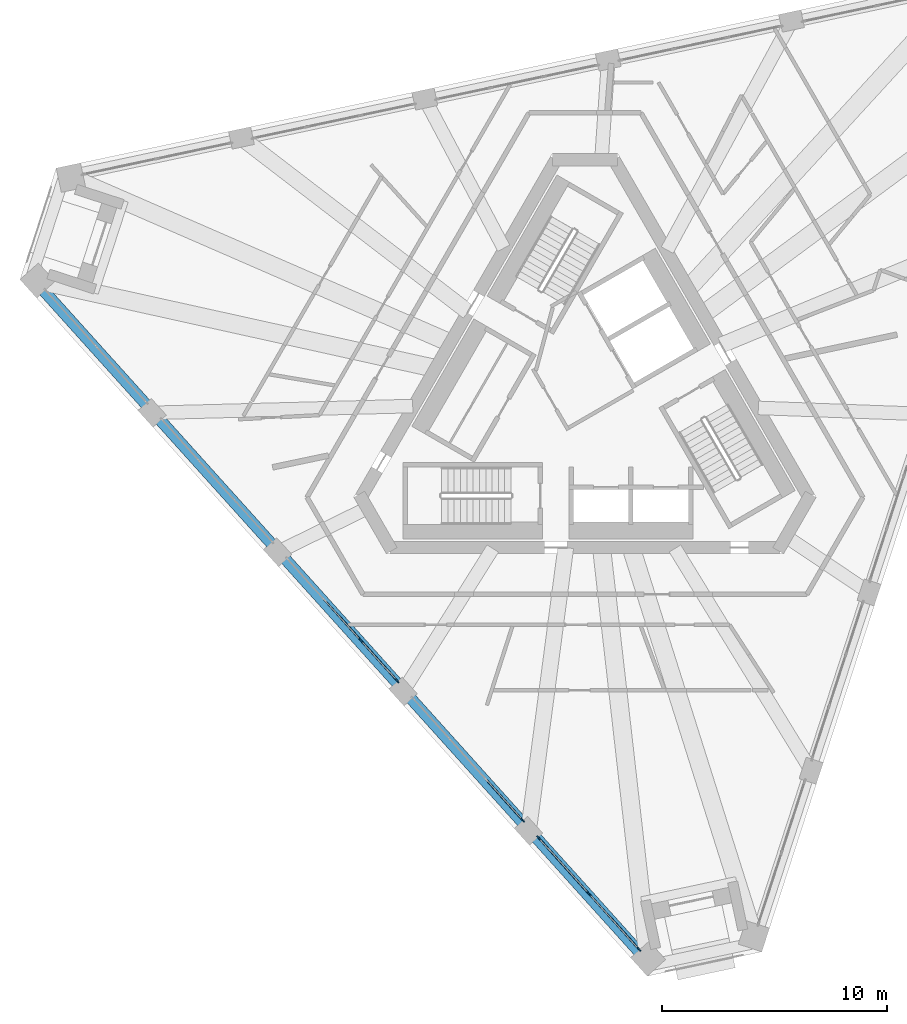
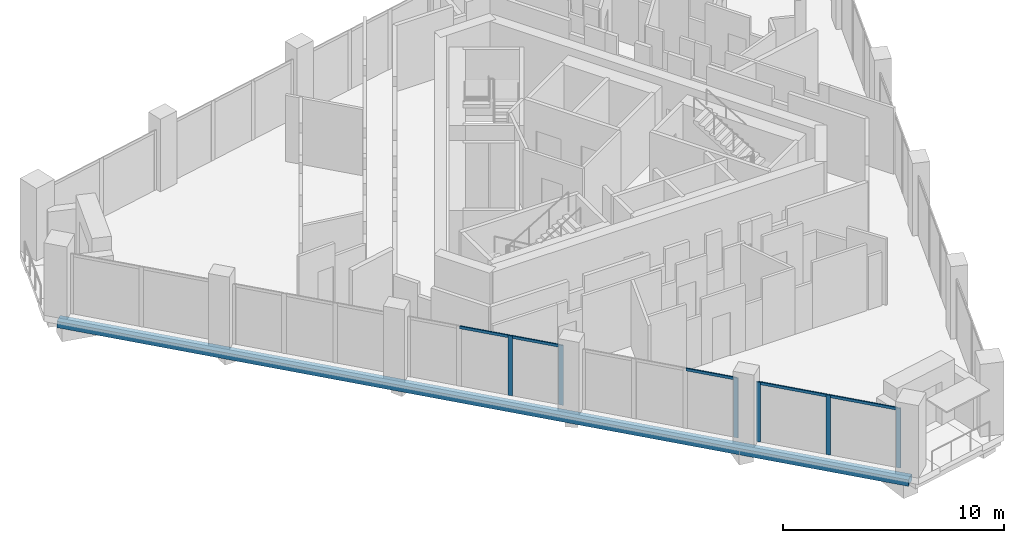
# One storey, part 2 of 17: 11 members, 1 beam, 3 elements without a shape of their own.
"""IFC4 building model written with IfcOpenShell, lengths in metres."""

from ifc_helpers import new_model, si_unit, direction, frame, origin, origin_2d, place, context, subcontext, project, spatial, rectangle, extrude, material, layer, layer_set, material_profile, profile_set, type_object, element, aggregate, save


model = new_model("IFC4")

# Units and contexts
model_context = context("Model", 3, precision=1e-05, world=origin(), true_north=direction((0.0, 1.0)))
body_context = subcontext(model_context, "Body", "Model", "MODEL_VIEW")
ifc_project = project(units=[si_unit("LENGTHUNIT", "METRE"), si_unit("AREAUNIT", "SQUARE_METRE"), si_unit("VOLUMEUNIT", "CUBIC_METRE"), si_unit("PLANEANGLEUNIT", "RADIAN"), si_unit("MASSUNIT", "GRAM", prefix="KILO")], contexts=[model_context])

# Site, building, storey
site_placement = place(None, origin())
site = spatial("IfcSite", under=ifc_project, at=site_placement, CompositionType="ELEMENT")
building_placement = place(site_placement, origin())
building = spatial("IfcBuilding", under=site, at=building_placement, Name="Tramontana Tower", CompositionType="ELEMENT")
storey_placement = place(building_placement, frame((0.0, 0.0, 348.39990234375)))
storey = spatial("IfcBuildingStorey", under=building, at=storey_placement, Name="L80", CompositionType="ELEMENT", Elevation=348.39990234375)

# Curtain wall, members
ifc_material_1 = material(Name="Aluminum extrusion", Category="aluminium")
ifc_layer = layer(ifc_material_1, 0.14990234375)
ifc_layer_set = layer_set([ifc_layer], Name="CW5 Top lounge curtain wall")
curtain_wall_type = type_object("IfcCurtainWallType", Name="CW5 Top lounge curtain wall", PredefinedType="NOTDEFINED", material=ifc_layer_set)
curtain_wall_1_placement = place(storey_placement, origin())
curtain_wall_1 = element("IfcCurtainWall", 1, at=curtain_wall_1_placement, inside=storey, type_object=curtain_wall_type, Name="CW5 curtain wall L80 face 0 bay 3", PredefinedType="NOTDEFINED")
ifc_material_2 = material(Name="Aluminum extrusion", Category="aluminium")
ifc_material_profile_1 = material_profile(ifc_material_2, rectangle(XDim=0.06005859375, YDim=0.219970703125, at=origin_2d()), Name="CW5-M Mullion 60 x 220")
ifc_profile_set_1 = profile_set([ifc_material_profile_1], Name="Aluminum extrusion")
member_type_1 = type_object("IfcMemberType", Name="CW5-M Mullion 60 x 220", PredefinedType="MULLION", material=ifc_profile_set_1)
member_1_placement = place(storey_placement, frame((-9.94140625, -10.591552734375, 0.0), z_axis=(0.0, 0.0, 1.0), x_axis=(0.743144825477, 0.669130606359, 0.0)))
member_1 = element("IfcMember", 2, at=member_1_placement, type_object=member_type_1, Name="CW5 curtain wall L80 face 0 bay 3 mullion 3", PredefinedType="MULLION", context=body_context, shape_type="SweptSolid", body=[
    extrude(rectangle(XDim=0.06005859375, YDim=0.219970703125, at=origin_2d()), origin(), (0.0, 0.0, 1.0), 3.300048828125),
])
member_2_placement = place(storey_placement, frame((-8.330078125, -12.381103515625, 0.0), z_axis=(0.0, 0.0, 1.0), x_axis=(0.743144825477, 0.669130606359, 0.0)))
member_2 = element("IfcMember", 3, at=member_2_placement, type_object=member_type_1, Name="CW5 curtain wall L80 face 0 bay 3 mullion 4", PredefinedType="MULLION", context=body_context, shape_type="SweptSolid", body=[
    extrude(rectangle(XDim=0.06005859375, YDim=0.219970703125, at=origin_2d()), origin(), (0.0, 0.0, 1.0), 3.300048828125),
])

# Curtain wall, member
curtain_wall_2_placement = place(storey_placement, origin())
curtain_wall_2 = element("IfcCurtainWall", 4, at=curtain_wall_2_placement, inside=storey, type_object=curtain_wall_type, Name="CW5 curtain wall L80 face 0 bay 4", PredefinedType="NOTDEFINED")
member_3_placement = place(storey_placement, frame((-2.76708984375, -18.559326171875, 0.0), z_axis=(0.0, 0.0, 1.0), x_axis=(0.743144825477, 0.669130606359, 0.0)))
member_3 = element("IfcMember", 5, at=member_3_placement, type_object=member_type_1, Name="CW5 curtain wall L80 face 0 bay 4 mullion 4", PredefinedType="MULLION", context=body_context, shape_type="SweptSolid", body=[
    extrude(rectangle(XDim=0.06005859375, YDim=0.219970703125, at=origin_2d()), origin(), (0.0, 0.0, 1.0), 3.300048828125),
])

# Curtain wall, members
curtain_wall_3_placement = place(storey_placement, origin())
curtain_wall_3 = element("IfcCurtainWall", 6, at=curtain_wall_3_placement, inside=storey, type_object=curtain_wall_type, Name="CW5 curtain wall L80 face 0 bay 5", PredefinedType="NOTDEFINED")
member_4_placement = place(storey_placement, frame((-2.057861328125, -19.34716796875, 0.0), z_axis=(0.0, 0.0, 1.0), x_axis=(0.743144825477, 0.669130606359, 0.0)))
member_4 = element("IfcMember", 7, at=member_4_placement, type_object=member_type_1, Name="CW5 curtain wall L80 face 0 bay 5 mullion 1", PredefinedType="MULLION", context=body_context, shape_type="SweptSolid", body=[
    extrude(rectangle(XDim=0.06005859375, YDim=0.219970703125, at=origin_2d()), origin(), (0.0, 0.0, 1.0), 3.300048828125),
])
member_5_placement = place(storey_placement, frame((0.168212890625, -21.819580078125, 0.0), z_axis=(0.0, 0.0, 1.0), x_axis=(0.743144825477, 0.669130606359, 0.0)))
member_5 = element("IfcMember", 8, at=member_5_placement, type_object=member_type_1, Name="CW5 curtain wall L80 face 0 bay 5 mullion 2", PredefinedType="MULLION", context=body_context, shape_type="SweptSolid", body=[
    extrude(rectangle(XDim=0.06005859375, YDim=0.219970703125, at=origin_2d()), origin(), (0.0, 0.0, 1.0), 3.300048828125),
])
member_6_placement = place(storey_placement, frame((2.39453125, -24.2919921875, 0.0), z_axis=(0.0, 0.0, 1.0), x_axis=(0.743144825477, 0.669130606359, 0.0)))
member_6 = element("IfcMember", 9, at=member_6_placement, type_object=member_type_1, Name="CW5 curtain wall L80 face 0 bay 5 mullion 3", PredefinedType="MULLION", context=body_context, shape_type="SweptSolid", body=[
    extrude(rectangle(XDim=0.06005859375, YDim=0.219970703125, at=origin_2d()), origin(), (0.0, 0.0, 1.0), 3.300048828125),
])

# Member
ifc_material_3 = material(Name="Aluminum extrusion", Category="aluminium")
ifc_material_profile_2 = material_profile(ifc_material_3, rectangle(XDim=0.06005859375, YDim=0.14990234375, at=origin_2d()), Name="CW5-T Transom 60 x 150")
ifc_profile_set_2 = profile_set([ifc_material_profile_2], Name="Aluminum extrusion")
member_type_2 = type_object("IfcMemberType", Name="CW5-T Transom 60 x 150", PredefinedType="USERDEFINED", material=ifc_profile_set_2)
member_7_placement = place(storey_placement, frame((-11.552490234375, -8.802001953125, 3.239990234375), z_axis=(0.669072495236, -0.743197144854, 0.0), x_axis=(0.743197144854, 0.669072495236, 0.0)))
member_7 = element("IfcMember", 10, at=member_7_placement, type_object=member_type_2, Name="CW5 curtain wall L80 face 0 bay 3 transom 2.1", ObjectType="TRANSOM", PredefinedType="USERDEFINED", context=body_context, shape_type="SweptSolid", body=[
    extrude(rectangle(XDim=0.06005859375, YDim=0.14990234375, at=origin_2d()), origin(), (0.0, 0.0, 1.0), 2.3779296875),
])

member_8_placement = place(storey_placement, frame((-9.92138671875, -10.61376953125, 3.239990234375), z_axis=(0.669177247994, -0.74310282651, 0.0), x_axis=(0.74310282651, 0.669177247994, 0.0)))
member_8 = element("IfcMember", 11, at=member_8_placement, type_object=member_type_2, Name="CW5 curtain wall L80 face 0 bay 3 transom 3.1", ObjectType="TRANSOM", PredefinedType="USERDEFINED", context=body_context, shape_type="SweptSolid", body=[
    extrude(rectangle(XDim=0.06005859375, YDim=0.14990234375, at=origin_2d()), origin(), (0.0, 0.0, 1.0), 2.34814453125),
])

aggregate(curtain_wall_1, [member_1, member_2, member_7, member_8])

member_9_placement = place(storey_placement, frame((-4.358154296875, -16.792236328125, 3.239990234375), z_axis=(0.669119827321, -0.743154530825, 0.0), x_axis=(0.743154530825, 0.669119827321, 0.0)))
member_9 = element("IfcMember", 12, at=member_9_placement, type_object=member_type_2, Name="CW5 curtain wall L80 face 0 bay 4 transom 3.1", ObjectType="TRANSOM", PredefinedType="USERDEFINED", context=body_context, shape_type="SweptSolid", body=[
    extrude(rectangle(XDim=0.06005859375, YDim=0.14990234375, at=origin_2d()), origin(), (0.0, 0.0, 1.0), 2.347900390625),
])

aggregate(curtain_wall_2, [member_3, member_9])

member_10_placement = place(storey_placement, frame((-2.037841796875, -19.369384765625, 3.239990234375), z_axis=(0.66914637952, -0.743130622956, 0.0), x_axis=(0.743130622956, 0.66914637952, 0.0)))
member_10 = element("IfcMember", 13, at=member_10_placement, type_object=member_type_2, Name="CW5 curtain wall L80 face 0 bay 5 transom 1.1", ObjectType="TRANSOM", PredefinedType="USERDEFINED", context=body_context, shape_type="SweptSolid", body=[
    extrude(rectangle(XDim=0.06005859375, YDim=0.14990234375, at=origin_2d()), origin(), (0.0, 0.0, 1.0), 3.266845703125),
])

member_11_placement = place(storey_placement, frame((0.1884765625, -21.841796875, 3.239990234375), z_axis=(0.66914637952, -0.743130622956, 0.0), x_axis=(0.743130622956, 0.66914637952, 0.0)))
member_11 = element("IfcMember", 14, at=member_11_placement, type_object=member_type_2, Name="CW5 curtain wall L80 face 0 bay 5 transom 2.1", ObjectType="TRANSOM", PredefinedType="USERDEFINED", context=body_context, shape_type="SweptSolid", body=[
    extrude(rectangle(XDim=0.06005859375, YDim=0.14990234375, at=origin_2d()), origin(), (0.0, 0.0, 1.0), 3.266845703125),
])

aggregate(curtain_wall_3, [member_4, member_5, member_6, member_10, member_11])

# Beam
ifc_material_4 = material(Name="Concrete 40 MPa", Category="concrete")
ifc_material_profile_3 = material_profile(ifc_material_4, rectangle(XDim=0.5, YDim=0.35009765625, at=origin_2d()), Name="RC EDGE BEAM 500X350 40 MPa")
ifc_profile_set_3 = profile_set([ifc_material_profile_3], Name="Concrete 40 MPa")
beam_type = type_object("IfcBeamType", Name="RC EDGE BEAM 500X350 40 MPa", PredefinedType="SPANDREL", material=ifc_profile_set_3)
beam_placement = place(storey_placement, frame((-24.352294921875, 5.301513671875, -0.52490234375), z_axis=(0.669126699639, -0.743148343086, 0.0), x_axis=(0.743148343086, 0.669126699639, 0.0)))
element("IfcBeam", 15, at=beam_placement, inside=storey, type_object=beam_type, Name="Spandrel beam S0 L80", PredefinedType="SPANDREL", context=body_context, shape_type="SweptSolid", body=[
    extrude(rectangle(XDim=0.5, YDim=0.35009765625, at=origin_2d()), origin(), (0.0, 0.0, 1.0), 40.46923828125),
])

save(model, "model.ifc")
